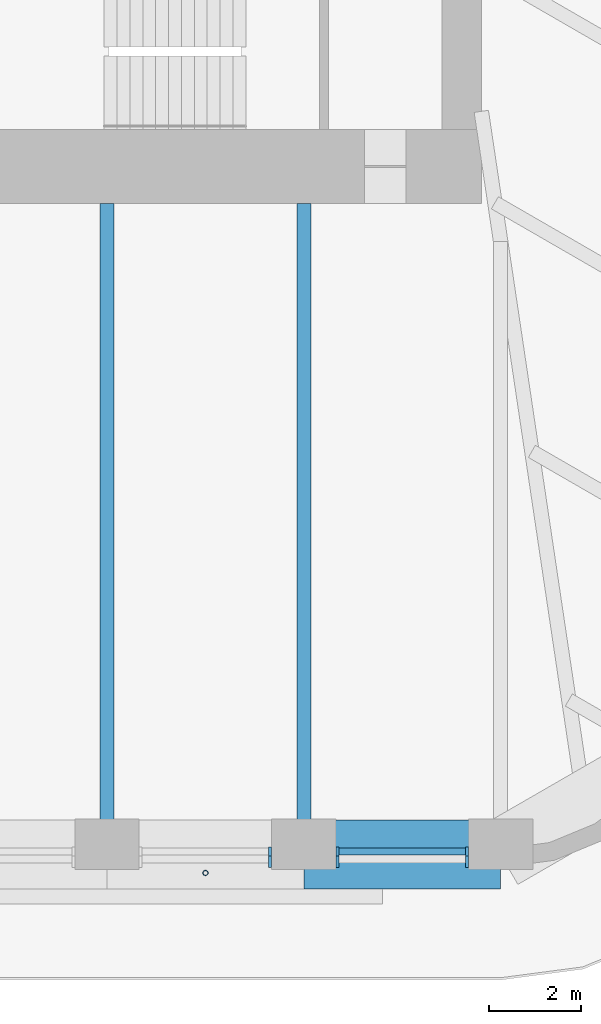
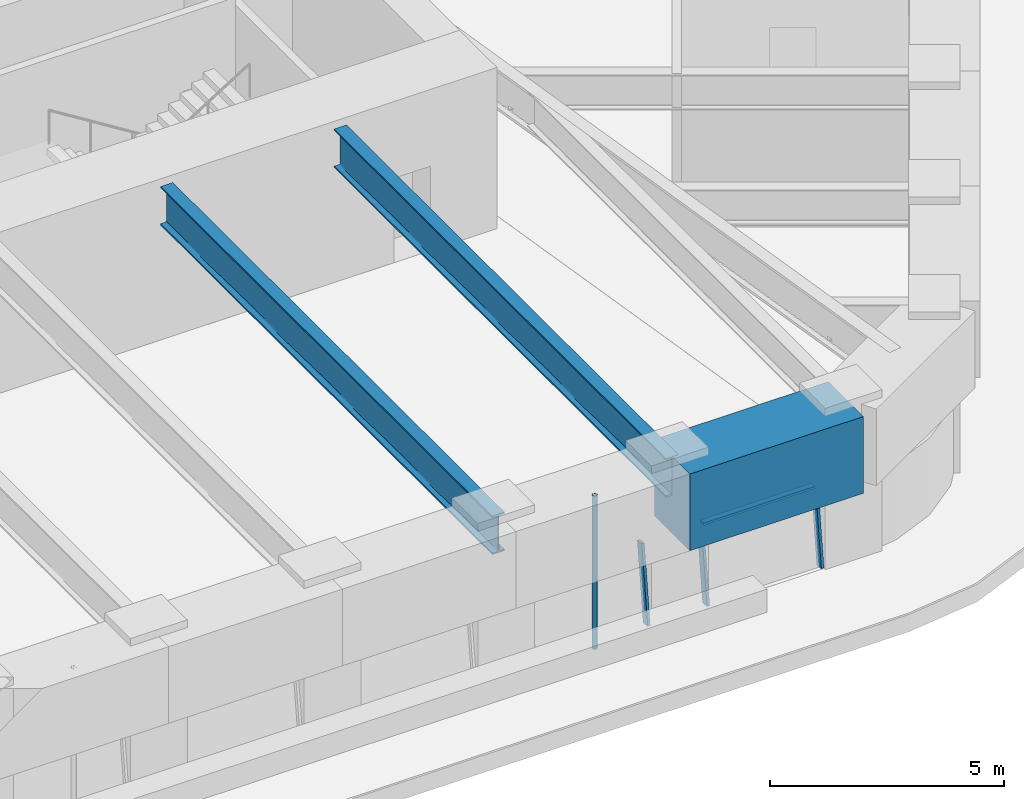
# One storey, part 4 of 18: 5 members, 3 beams, 2 elements without a shape of their own.
"""IFC4 building model written with IfcOpenShell, lengths in metres."""

import ifcopenshell
import ifcopenshell.guid

model = None  # the IFC model being written
_history = None  # IfcOwnerHistory: only IFC2X3 demands one
_inside = {}  # id of a spatial element -> (the spatial element, [elements in it])
_under = {}  # id of a project, library or spatial element -> (it, [spatial elements below it])
_declared = {}  # id of a project -> (the project, [libraries it declares])
_typed = {}  # id of a type object -> (the type object, [elements of that type])
_made_of = {}  # id of a material, layer set ... -> (it, [elements and type objects made of it])


def new_model(schema):
    """Start an empty IFC model of exactly this schema.

    Asked for "IFC4X3", IfcOpenShell would pick the latest addendum, in which some entities
    have other attributes; the version numbers below select the first issue.
    IFC2X3 requires an IfcOwnerHistory on every rooted entity: one is made here for all.
    """
    global model, _history
    if schema == "IFC4X3":
        model = ifcopenshell.file(schema_version=(4, 3, 0, 0))
    else:
        model = ifcopenshell.file(schema=schema)
    _inside.clear()
    _under.clear()
    _declared.clear()
    _typed.clear()
    _made_of.clear()
    _history = None
    if model.schema == "IFC2X3":
        org = make("IfcOrganization", Name="unknown")
        user = make(
            "IfcPersonAndOrganization",
            ThePerson=make("IfcPerson", FamilyName="unknown"),
            TheOrganization=org,
        )
        app = make(
            "IfcApplication",
            ApplicationDeveloper=org,
            Version="unknown",
            ApplicationFullName="unknown",
            ApplicationIdentifier="unknown",
        )
        _history = make(
            "IfcOwnerHistory",
            OwningUser=user,
            OwningApplication=app,
            ChangeAction="ADDED",
            CreationDate=0,
        )
    return model


def make(cls, **values):
    """One entity of the class cls with the attributes given. An attribute that is None is left unset."""
    return model.create_entity(
        cls, **{name: value for name, value in values.items() if value is not None}
    )


def rooted(cls, **values):
    """An entity with a GlobalId (a new one), such as an element, a storey or a relation."""
    return make(cls, GlobalId=ifcopenshell.guid.new(), OwnerHistory=_history, **values)


def si_unit(unit_type, name, prefix=None):
    """IfcSIUnit, for example si_unit("LENGTHUNIT", "METRE", prefix="MILLI")."""
    return make("IfcSIUnit", UnitType=unit_type, Prefix=prefix, Name=name)


def assignment(units):
    """IfcUnitAssignment: the units of a project."""
    return None if units is None else make("IfcUnitAssignment", Units=units)


def point(xyz):
    """IfcCartesianPoint."""
    return None if xyz is None else make("IfcCartesianPoint", Coordinates=xyz)


def direction(xyz):
    """IfcDirection."""
    return None if xyz is None else make("IfcDirection", DirectionRatios=xyz)


def frame(location, z_axis=None, x_axis=None):
    """IfcAxis2Placement3D, a coordinate frame: its origin and axes. An axis left out is left unset."""
    return make(
        "IfcAxis2Placement3D",
        Location=point(location),
        Axis=direction(z_axis),
        RefDirection=direction(x_axis),
    )


def frame_2d(location, x_axis=None):
    """IfcAxis2Placement2D, a coordinate frame in the plane: its origin and x axis."""
    return make(
        "IfcAxis2Placement2D", Location=point(location), RefDirection=direction(x_axis)
    )


def origin():
    """The frame at (0, 0, 0) with its axes left unset."""
    return frame((0.0, 0.0, 0.0))


def origin_2d():
    """The frame at (0, 0) in the plane with its x axis left unset."""
    return frame_2d((0.0, 0.0))


def place(relative_to, where):
    """IfcLocalPlacement: puts the frame where relative to a parent placement (None: the world)."""
    return make(
        "IfcLocalPlacement", PlacementRelTo=relative_to, RelativePlacement=where
    )


def context(
    kind, dimensions, precision=None, world=None, true_north=None, identifier=None
):
    """IfcGeometricRepresentationContext, for example the 3D "Model" context."""
    return make(
        "IfcGeometricRepresentationContext",
        ContextIdentifier=identifier,
        ContextType=kind,
        CoordinateSpaceDimension=dimensions,
        Precision=precision,
        WorldCoordinateSystem=world,
        TrueNorth=true_north,
    )


def subcontext(parent, identifier, kind, view, scale=None):
    """IfcGeometricRepresentationSubContext, for example "Body" below "Model"."""
    return make(
        "IfcGeometricRepresentationSubContext",
        ContextIdentifier=identifier,
        ContextType=kind,
        ParentContext=parent,
        TargetScale=scale,
        TargetView=view,
    )


def project(units=None, contexts=None):
    """IfcProject with its units and contexts."""
    return rooted(
        "IfcProject",
        Name="project",
        RepresentationContexts=contexts,
        UnitsInContext=assignment(units),
    )


def spatial(cls, under=None, at=None, **own):
    """A site, building, storey or space (cls), placed at a placement, below another one or the project."""
    s = rooted(cls, ObjectPlacement=at, **own)
    if under is not None:
        _under.setdefault(under.id(), (under, []))[1].append(s)
    return s


def profile(cls, at=None, kind="AREA", **sizes):
    """A parametric profile (cls). Its sizes go by their IFC names, for example OverallWidth=200.0."""
    return make(cls, ProfileType=kind, Position=at, **sizes)


def rectangle(**sizes):
    """IfcRectangleProfileDef."""
    return profile("IfcRectangleProfileDef", **sizes)


def hollow_circle(**sizes):
    """IfcCircleHollowProfileDef."""
    return profile("IfcCircleHollowProfileDef", **sizes)


def i_section(**sizes):
    """IfcIShapeProfileDef."""
    return profile("IfcIShapeProfileDef", **sizes)


def extrude(swept, where, along, depth):
    """IfcExtrudedAreaSolid: the profile swept, set in the frame where, extruded along a direction by depth."""
    return make(
        "IfcExtrudedAreaSolid",
        SweptArea=swept,
        Position=where,
        ExtrudedDirection=direction(along),
        Depth=depth,
    )


def shape(context_of_items, identifier, shape_type, items):
    """IfcShapeRepresentation: the items that make up one representation, for example the "Body"."""
    return make(
        "IfcShapeRepresentation",
        ContextOfItems=context_of_items,
        RepresentationIdentifier=identifier,
        RepresentationType=shape_type,
        Items=items,
    )


def material(Name=None, Category=None):
    """IfcMaterial."""
    return make("IfcMaterial", Name=Name, Category=Category)


def material_profile(
    of_material, cross_section, Name=None, Category=None, Priority=None
):
    """IfcMaterialProfile: a cross section and its material."""
    return make(
        "IfcMaterialProfile",
        Name=Name,
        Material=of_material,
        Profile=cross_section,
        Priority=Priority,
        Category=Category,
    )


def profile_set(profiles, Name=None, composite=None):
    """IfcMaterialProfileSet."""
    return make(
        "IfcMaterialProfileSet",
        Name=Name,
        MaterialProfiles=profiles,
        CompositeProfile=composite,
    )


def made_of(thing, what):
    """Note that an element or type object is made of a material, layer set ...; save() writes the relation."""
    if what is not None:
        _made_of.setdefault(what.id(), (what, []))[1].append(thing)
    return thing


def type_object(cls, material=None, **own):
    """A type object (cls), such as IfcWallType, which elements share."""
    return made_of(rooted(cls, **own), material)


def element(
    cls,
    number,
    at=None,
    inside=None,
    cuts=None,
    type_object=None,
    material=None,
    context=None,
    identifier="Body",
    shape_type=None,
    held_by="IfcProductDefinitionShape",
    body=None,
    shapes=None,
    **own,
):
    """One element of the class cls, such as IfcWall. Its Tag is "e" and its number.

    at: its placement. inside: the storey or other place that contains it. cuts: it is an
    opening in that element (IfcRelVoidsElement). A single representation is given by context,
    identifier, shape_type and body (its items); several are given by shapes. held_by: the class
    of the entity that holds the representations. save() writes the other relations.
    """
    e = rooted(cls, Tag="e%d" % number, ObjectPlacement=at, **own)
    if body is not None:
        shapes = [shape(context, identifier, shape_type, body)]
    if shapes is not None:
        e.Representation = make(held_by, Representations=shapes)
    if inside is not None:
        _inside.setdefault(inside.id(), (inside, []))[1].append(e)
    if cuts is not None:
        rooted(
            "IfcRelVoidsElement", RelatingBuildingElement=cuts, RelatedOpeningElement=e
        )
    if type_object is not None:
        _typed.setdefault(type_object.id(), (type_object, []))[1].append(e)
    return made_of(e, material)


def aggregate(whole, parts):
    """IfcRelAggregates: a whole, such as a stair, and the parts it consists of."""
    return rooted("IfcRelAggregates", RelatingObject=whole, RelatedObjects=parts)


def save(model, path):
    """Write the relations noted so far, then the file.

    IfcRelAggregates (storeys below a building ...), IfcRelContainedInSpatialStructure (elements
    in a storey), IfcRelDefinesByType, IfcRelAssociatesMaterial and IfcRelDeclares: one each for
    every whole, place, type object, material and project.
    """
    for whole, parts in _under.values():
        aggregate(whole, parts)
    for where, things in _inside.values():
        rooted(
            "IfcRelContainedInSpatialStructure",
            RelatedElements=things,
            RelatingStructure=where,
        )
    for kind, things in _typed.values():
        rooted("IfcRelDefinesByType", RelatedObjects=things, RelatingType=kind)
    for what, things in _made_of.values():
        rooted("IfcRelAssociatesMaterial", RelatedObjects=things, RelatingMaterial=what)
    for by, libraries in _declared.values():
        rooted("IfcRelDeclares", RelatingContext=by, RelatedDefinitions=libraries)
    model.write(path)


model = new_model("IFC4")

# Units and contexts
model_context = context("Model", 3, precision=1e-05, world=origin(), true_north=direction((0.0, 1.0)))
body_context = subcontext(model_context, "Body", "Model", "MODEL_VIEW")
ifc_project = project(units=[si_unit("LENGTHUNIT", "METRE"), si_unit("AREAUNIT", "SQUARE_METRE"), si_unit("VOLUMEUNIT", "CUBIC_METRE"), si_unit("PLANEANGLEUNIT", "RADIAN"), si_unit("MASSUNIT", "GRAM", prefix="KILO")], contexts=[model_context])

# Site, building, storey
site_placement = place(None, origin())
site = spatial("IfcSite", under=ifc_project, at=site_placement, CompositionType="ELEMENT")
building_placement = place(site_placement, origin())
building = spatial("IfcBuilding", under=site, at=building_placement, Name="Tarfa Lantern Tower", CompositionType="ELEMENT")
storey_placement = place(building_placement, frame((0.0, 0.0, 315.699951171875)))
storey = spatial("IfcBuildingStorey", under=building, at=storey_placement, Name="L71", CompositionType="ELEMENT", Elevation=315.699951171875)

# Curtain wall, member
ifc_material_1 = material(Name="Aluminium framed curtain wall", Category="aluminium")
curtain_wall_type = type_object("IfcCurtainWallType", Name="CW4 CANTED GLAZING EXECUTIVE ZONE 2000", PredefinedType="USERDEFINED", material=ifc_material_1)
curtain_wall_1_placement = place(storey_placement, origin())
curtain_wall_1 = element("IfcCurtainWall", 1, at=curtain_wall_1_placement, inside=storey, type_object=curtain_wall_type, Name="CW4 S L71", ObjectType="CURTAIN WALL", PredefinedType="USERDEFINED")
ifc_material_2 = material(Name="Aluminium mullion", Category="aluminium")
ifc_material_profile_1 = material_profile(ifc_material_2, rectangle(XDim=0.06494140625, YDim=0.199951171875, at=origin_2d()), Name="AL MULLION 65x200")
ifc_profile_set_1 = profile_set([ifc_material_profile_1], Name="Aluminium mullion")
member_type_1 = type_object("IfcMemberType", Name="CWM1 MULLION 65x200", PredefinedType="MULLION", material=ifc_profile_set_1)
member_1_placement = place(storey_placement, frame((7.83154296875, -26.64990234375, 0.0), z_axis=(0.0, 0.124034734589, 0.992277876714), x_axis=(-1.0, 0.0, 0.0)))
member_1 = element("IfcMember", 2, at=member_1_placement, type_object=member_type_1, Name="CW4 mullion 2", PredefinedType="MULLION", context=body_context, shape_type="SweptSolid", body=[
    extrude(rectangle(XDim=0.06494140625, YDim=0.199951171875, at=origin_2d()), origin(), (0.0, 0.0, 1.0), 2.015625),
])
aggregate(curtain_wall_1, [member_1])

# Curtain wall, members
curtain_wall_2_placement = place(storey_placement, origin())
curtain_wall_2 = element("IfcCurtainWall", 3, at=curtain_wall_2_placement, inside=storey, type_object=curtain_wall_type, Name="CW4 S L71", ObjectType="CURTAIN WALL", PredefinedType="USERDEFINED")
member_2_placement = place(storey_placement, frame((9.296630859375, -26.64990234375, 0.0), z_axis=(0.0, 0.124034734589, 0.992277876714), x_axis=(-1.0, 0.0, 0.0)))
member_2 = element("IfcMember", 4, at=member_2_placement, type_object=member_type_1, Name="CW4 mullion 1", PredefinedType="MULLION", context=body_context, shape_type="SweptSolid", body=[
    extrude(rectangle(XDim=0.06494140625, YDim=0.199951171875, at=origin_2d()), origin(), (0.0, 0.0, 1.0), 2.015625),
])
member_3_placement = place(storey_placement, frame((12.113525390625, -26.64990234375, 0.0), z_axis=(0.0, 0.124034734589, 0.992277876714), x_axis=(-1.0, 0.0, 0.0)))
member_3 = element("IfcMember", 5, at=member_3_placement, type_object=member_type_1, Name="CW4 mullion 2", PredefinedType="MULLION", context=body_context, shape_type="SweptSolid", body=[
    extrude(rectangle(XDim=0.06494140625, YDim=0.199951171875, at=origin_2d()), origin(), (0.0, 0.0, 1.0), 2.015625),
])
ifc_material_3 = material(Name="Aluminium transom", Category="aluminium")
ifc_material_profile_2 = material_profile(ifc_material_3, rectangle(XDim=0.14990234375, YDim=0.06494140625, at=origin_2d()), Name="AL TRANSOM 150x65")
ifc_profile_set_2 = profile_set([ifc_material_profile_2], Name="Aluminium transom")
member_type_2 = type_object("IfcMemberType", Name="CWT1 TRANSOM 150x65", PredefinedType="USERDEFINED", material=ifc_profile_set_2)
member_4_placement = place(storey_placement, frame((9.3291015625, -26.404052734375, 1.967529296875), z_axis=(1.0, 0.0, 0.0), x_axis=(0.0, 1.0, 0.0)))
member_4 = element("IfcMember", 6, at=member_4_placement, type_object=member_type_2, Name="CW4 transom 1.2", ObjectType="TRANSOM", PredefinedType="USERDEFINED", context=body_context, shape_type="SweptSolid", body=[
    extrude(rectangle(XDim=0.14990234375, YDim=0.06494140625, at=origin_2d()), origin(), (0.0, 0.0, 1.0), 2.751953125),
])
aggregate(curtain_wall_2, [member_2, member_3, member_4])

# Beam
ifc_material_4 = material(Name="Concrete C80/95", Category="concrete")
ifc_material_profile_3 = material_profile(ifc_material_4, rectangle(XDim=1.5, YDim=2.0, at=origin_2d()), Name="RC 1500x2000")
ifc_profile_set_3 = profile_set([ifc_material_profile_3], Name="Concrete C80/95")
beam_type_1 = type_object("IfcBeamType", Name="RB3 RC 1500x2000", PredefinedType="BEAM", material=ifc_profile_set_3)
beam_placement = place(storey_placement, frame((8.56396484375, -26.469970703125, 3.0), z_axis=(1.0, 0.0, 0.0), x_axis=(0.0, 1.0, 0.0)))
element("IfcBeam", 7, at=beam_placement, inside=storey, type_object=beam_type_1, Name="Edge beam S5", PredefinedType="BEAM", context=body_context, shape_type="SweptSolid", body=[
    extrude(rectangle(XDim=1.5, YDim=2.0, at=origin_2d()), origin(), (0.0, 0.0, 1.0), 4.281982421875),
])

# Member
ifc_material_5 = material(Name="Steel S355", Category="steel")
ifc_material_profile_4 = material_profile(ifc_material_5, hollow_circle(Radius=0.05712890625, WallThickness=0.00634765625, at=origin_2d()), Name="CHS114.3x6.3")
ifc_profile_set_4 = profile_set([ifc_material_profile_4], Name="Steel S355")
member_type_3 = type_object("IfcMemberType", Name="TR1 GREEN WALL TRELLIS CHS114.3x6.3", PredefinedType="USERDEFINED", material=ifc_profile_set_4)
member_5_placement = place(storey_placement, frame((6.423095703125, -26.8701171875, 0.0), z_axis=(0.0, 0.0, 1.0), x_axis=(1.0, 0.0, 0.0)))
element("IfcMember", 8, at=member_5_placement, inside=storey, type_object=member_type_3, Name="Trellis post S 2", ObjectType="TRELLIS", PredefinedType="USERDEFINED", context=body_context, shape_type="SweptSolid", body=[
    extrude(hollow_circle(Radius=0.05712890625, WallThickness=0.00634765625, at=origin_2d()), origin(), (0.0, 0.0, 1.0), 4.0),
])

# Beams
ifc_material_6 = material(Name="Steel S460M", Category="steel")
ifc_material_profile_5 = material_profile(ifc_material_6, i_section(OverallWidth=0.302001953125, OverallDepth=1.008056640625, WebThickness=0.02099609375, FlangeThickness=0.0400390625, FilletRadius=0.030029296875, at=origin_2d()), Name="UB1016x305x349")
ifc_profile_set_5 = profile_set([ifc_material_profile_5], Name="Steel S460M")
beam_type_2 = type_object("IfcBeamType", Name="UB1016x305x349", PredefinedType="BEAM", material=ifc_profile_set_5)
for number, where, z_axis, x_axis, name in (
    (9, (4.281982421875, -26.469970703125, 3.49609375), (0.0, 1.0, 0.0), (-1.0, 0.0, 0.0), "Floor beam S4"),
    (10, (8.56396484375, -26.469970703125, 3.49609375), (0.0, 1.0, 0.0), (-1.0, 0.0, 0.0), "Floor beam S5"),
):
    element("IfcBeam", number, at=place(storey_placement, frame(where, z_axis=z_axis, x_axis=x_axis)), inside=storey, type_object=beam_type_2, Name=name, PredefinedType="BEAM", context=body_context, shape_type="SweptSolid", body=[
        extrude(i_section(OverallWidth=0.302001953125, OverallDepth=1.008056640625, WebThickness=0.02099609375, FlangeThickness=0.0400390625, FilletRadius=0.030029296875, at=origin_2d()), origin(), (0.0, 0.0, 1.0), 14.169921875),
    ])

save(model, "model.ifc")
